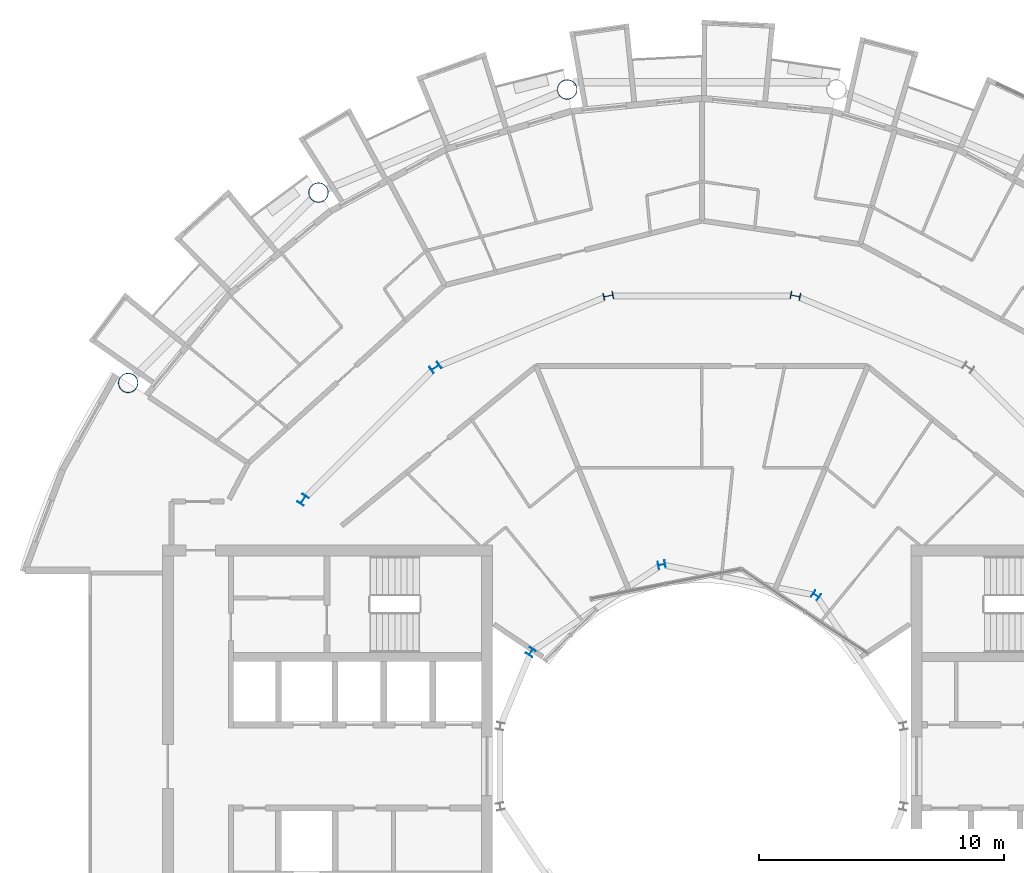
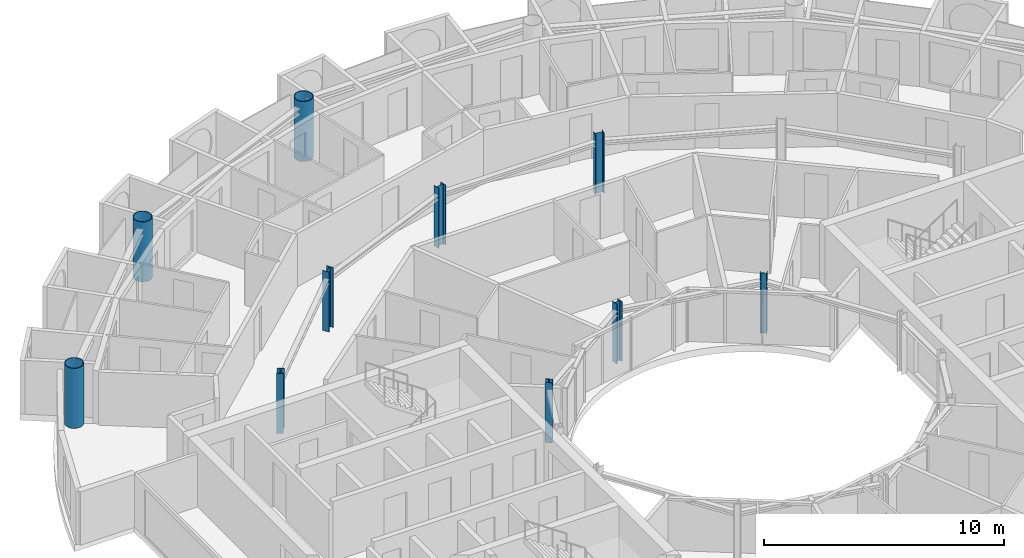
# One storey, part 4 of 29: 10 columns.
"""IFC4 building model written with IfcOpenShell, lengths in metres."""

from ifc_helpers import new_model, si_unit, direction, frame, origin, origin_2d, place, context, subcontext, project, spatial, hollow_circle, i_section, extrude, material, material_profile, profile_set, type_object, element, save


model = new_model("IFC4")

# Units and contexts
model_context = context("Model", 3, precision=1e-05, world=origin(), true_north=direction((0.0, 1.0)))
body_context = subcontext(model_context, "Body", "Model", "MODEL_VIEW")
ifc_project = project(units=[si_unit("LENGTHUNIT", "METRE"), si_unit("AREAUNIT", "SQUARE_METRE"), si_unit("VOLUMEUNIT", "CUBIC_METRE"), si_unit("PLANEANGLEUNIT", "RADIAN"), si_unit("MASSUNIT", "GRAM", prefix="KILO")], contexts=[model_context])

# Site, building, storey
site_placement = place(None, origin())
site = spatial("IfcSite", under=ifc_project, at=site_placement, CompositionType="ELEMENT")
building_placement = place(site_placement, origin())
building = spatial("IfcBuilding", under=site, at=building_placement, Name="Maasbend Ring Residences", CompositionType="ELEMENT")
storey_placement = place(building_placement, frame((0.0, 0.0, 215.75)))
storey = spatial("IfcBuildingStorey", under=building, at=storey_placement, Name="L62", CompositionType="ELEMENT", Elevation=215.75)

# Columns
ifc_material_1 = material(Name="Composite concrete-filled steel tube S460NH / C80/95", Category="concrete")
ifc_material_profile_1 = material_profile(ifc_material_1, hollow_circle(Radius=0.406494140625, WallThickness=0.030029296875, at=origin_2d()), Name="Composite tube column CHS 813x30")
ifc_profile_set_1 = profile_set([ifc_material_profile_1], Name="Composite concrete-filled steel tube S460NH / C80/95")
column_type_1 = type_object("IfcColumnType", Name="Composite tube column CHS 813x30", PredefinedType="COLUMN", material=ifc_profile_set_1)
for number, where, z_axis, x_axis, name in (
    (1, (-5.50146484375, 27.658203125, 0.0), (0.0, 0.0, 1.0), (1.0, 0.0, 0.0), "Outer column R5"),
    (2, (-15.6669921875, 23.447509765625, 0.0), (0.0, 0.0, 1.0), (1.0, 0.0, 0.0), "Outer column R6"),
    (3, (-23.447509765625, 15.6669921875, 0.0), (0.0, 0.0, 1.0), (1.0, 0.0, 0.0), "Outer column R7"),
):
    element("IfcColumn", number, at=place(storey_placement, frame(where, z_axis=z_axis, x_axis=x_axis)), inside=storey, type_object=column_type_1, Name=name, PredefinedType="COLUMN", context=body_context, shape_type="SweptSolid", body=[
        extrude(hollow_circle(Radius=0.406494140625, WallThickness=0.030029296875, at=origin_2d()), origin(), (0.0, 0.0, 1.0), 3.050048828125),
    ])
ifc_material_2 = material(Name="Steel S355J2", Category="steel")
ifc_material_profile_2 = material_profile(ifc_material_2, i_section(OverallWidth=0.300048828125, OverallDepth=0.2900390625, WebThickness=0.008544921875, FlangeThickness=0.013916015625, FilletRadius=0.027099609375, at=origin_2d()), Name="HEA 300")
ifc_profile_set_2 = profile_set([ifc_material_profile_2], Name="Steel S355J2")
column_type_2 = type_object("IfcColumnType", Name="Steel column HEA 300", PredefinedType="COLUMN", material=ifc_profile_set_2)
for number, where, z_axis, x_axis, name in (
    (4, (4.666748046875, 6.984375, 0.0), (0.0, 0.0, 1.0), (0.55557023302, 0.831469612303, 0.0), "Well ring column R3"),
    (5, (-1.638916015625, 8.238525390625, 0.0), (0.0, 0.0, 1.0), (-0.195090322016, 0.980785280403, 0.0), "Well ring column R5"),
    (6, (-6.984375, 4.666748046875, 0.0), (0.0, 0.0, 1.0), (-0.831469612303, 0.55557023302, 0.0), "Well ring column R7"),
):
    element("IfcColumn", number, at=place(storey_placement, frame(where, z_axis=z_axis, x_axis=x_axis)), inside=storey, type_object=column_type_2, Name=name, PredefinedType="COLUMN", context=body_context, shape_type="SweptSolid", body=[
        extrude(i_section(OverallWidth=0.300048828125, OverallDepth=0.2900390625, WebThickness=0.008544921875, FlangeThickness=0.013916015625, FilletRadius=0.027099609375, at=origin_2d()), origin(), (0.0, 0.0, 1.0), 3.050048828125),
    ])
ifc_material_3 = material(Name="Steel S355J2", Category="steel")
ifc_material_profile_3 = material_profile(ifc_material_3, i_section(OverallWidth=0.300048828125, OverallDepth=0.39990234375, WebThickness=0.013427734375, FlangeThickness=0.02392578125, FilletRadius=0.027099609375, at=origin_2d()), Name="HEB 400")
ifc_profile_set_3 = profile_set([ifc_material_profile_3], Name="Steel S355J2")
column_type_3 = type_object("IfcColumnType", Name="Steel column HEB 400", PredefinedType="COLUMN", material=ifc_profile_set_3)
for number, where, z_axis, x_axis, name in (
    (7, (3.82373046875, 19.223388671875, 0.0), (0.0, 0.0, 1.0), (0.195090322016, 0.980785280403, 0.0), "Corridor ring column R4"),
    (8, (-3.82373046875, 19.223388671875, 0.0), (0.0, 0.0, 1.0), (-0.195090322016, 0.980785280403, 0.0), "Corridor ring column R5"),
    (9, (-10.88916015625, 16.296875, 0.0), (0.0, 0.0, 1.0), (-0.55557023302, 0.831469612303, 0.0), "Corridor ring column R6"),
    (10, (-16.296875, 10.88916015625, 0.0), (0.0, 0.0, 1.0), (-0.831469612303, 0.55557023302, 0.0), "Corridor ring column R7"),
):
    element("IfcColumn", number, at=place(storey_placement, frame(where, z_axis=z_axis, x_axis=x_axis)), inside=storey, type_object=column_type_3, Name=name, PredefinedType="COLUMN", context=body_context, shape_type="SweptSolid", body=[
        extrude(i_section(OverallWidth=0.300048828125, OverallDepth=0.39990234375, WebThickness=0.013427734375, FlangeThickness=0.02392578125, FilletRadius=0.027099609375, at=origin_2d()), origin(), (0.0, 0.0, 1.0), 3.050048828125),
    ])

save(model, "model.ifc")
